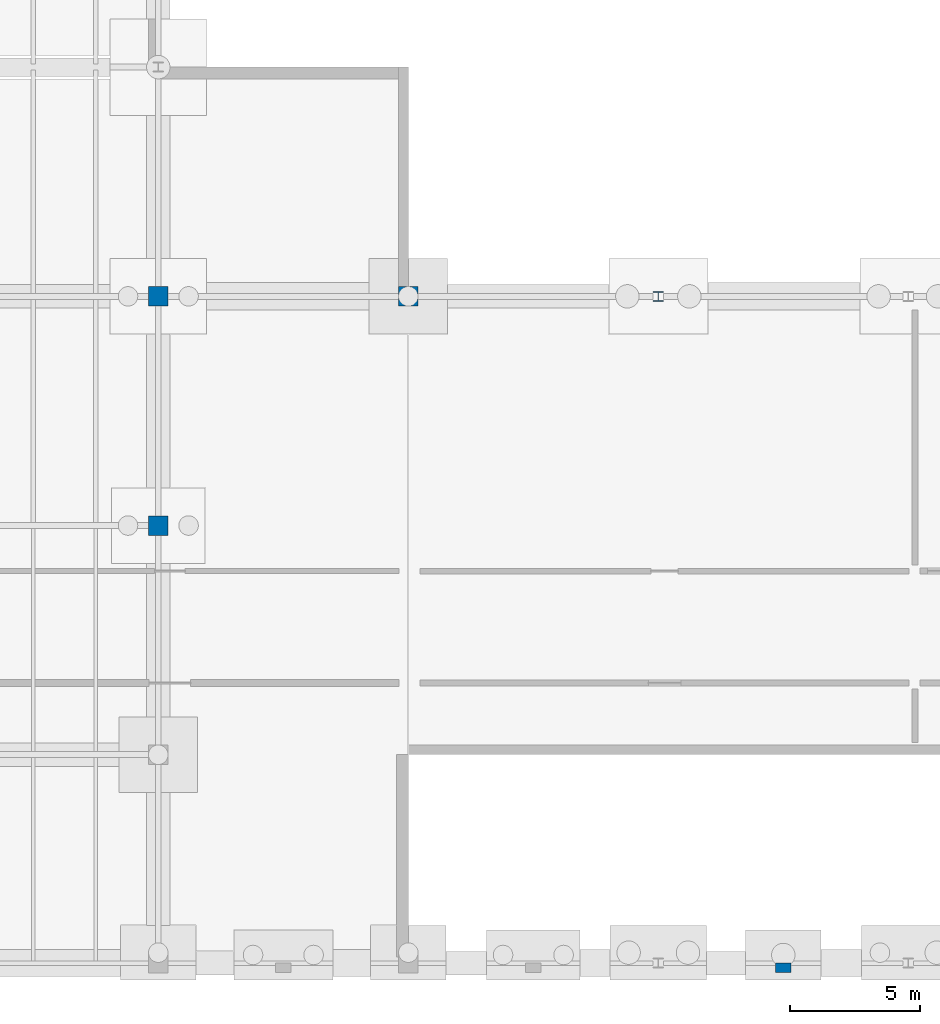
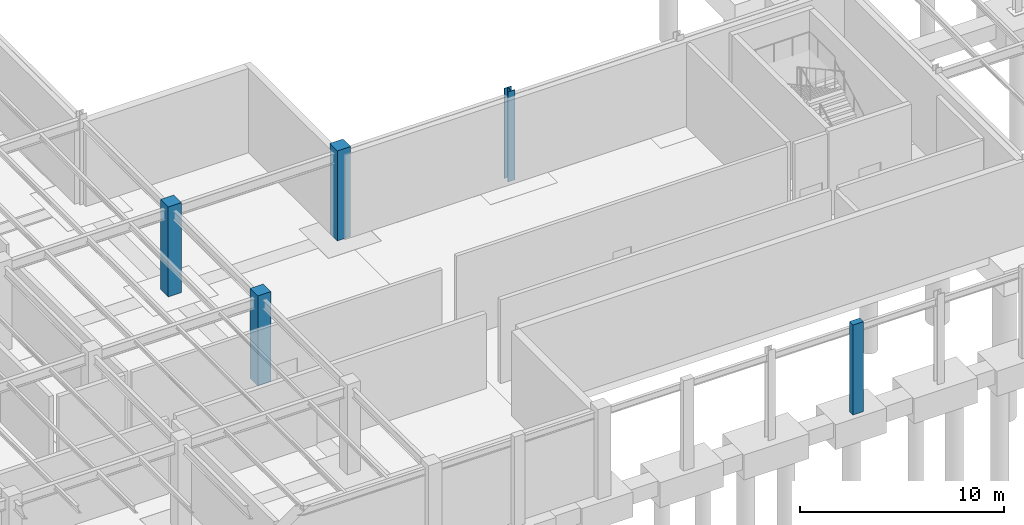
# One storey, part 7 of 48: 5 columns.
"""IFC4 building model written with IfcOpenShell, lengths in metres."""

from ifc_helpers import new_model, si_unit, direction, frame, origin, origin_2d, place, context, subcontext, project, spatial, rectangle, i_section, extrude, material, material_profile, profile_set, type_object, element, save


model = new_model("IFC4")

# Units and contexts
model_context = context("Model", 3, precision=1e-05, world=origin(), true_north=direction((0.0, 1.0)))
body_context = subcontext(model_context, "Body", "Model", "MODEL_VIEW")
ifc_project = project(units=[si_unit("LENGTHUNIT", "METRE"), si_unit("AREAUNIT", "SQUARE_METRE"), si_unit("VOLUMEUNIT", "CUBIC_METRE"), si_unit("PLANEANGLEUNIT", "RADIAN"), si_unit("MASSUNIT", "GRAM", prefix="KILO")], contexts=[model_context])

# Site, building, storey
site_placement = place(None, origin())
site = spatial("IfcSite", under=ifc_project, at=site_placement, CompositionType="ELEMENT")
building_placement = place(site_placement, origin())
building = spatial("IfcBuilding", under=site, at=building_placement, Name="Sarnbrook Museum", CompositionType="ELEMENT")
storey_placement = place(building_placement, frame((0.0, 0.0, -5.39990234375)))
storey = spatial("IfcBuildingStorey", under=building, at=storey_placement, Name="B1", CompositionType="ELEMENT", Elevation=-5.39990234375)

# Columns
ifc_material_1 = material(Name="Concrete N50 (AS 3600, f'c = 50 MPa)", Category="concrete")
ifc_material_profile_1 = material_profile(ifc_material_1, rectangle(XDim=0.75, YDim=0.75, at=origin_2d()), Name="RC 750x750")
ifc_profile_set_1 = profile_set([ifc_material_profile_1], Name="Concrete N50 (AS 3600, f'c = 50 MPa)")
column_type_1 = type_object("IfcColumnType", Name="COL-RC750", PredefinedType="COLUMN", material=ifc_profile_set_1)
for number, where, z_axis, x_axis, name in (
    (1, (42.39990234375, 21.60009765625, 0.0), (0.0, 0.0, 1.0), (1.0, 0.0, 0.0), "Column 5-C B1"),
    (2, (42.39990234375, 30.39990234375, 0.0), (0.0, 0.0, 1.0), (1.0, 0.0, 0.0), "Column 5-D B1"),
    (3, (52.0, 30.39990234375, 0.0), (0.0, 0.0, 1.0), (1.0, 0.0, 0.0), "Column 6-D B1"),
):
    element("IfcColumn", number, at=place(storey_placement, frame(where, z_axis=z_axis, x_axis=x_axis)), inside=storey, type_object=column_type_1, Name=name, PredefinedType="COLUMN", context=body_context, shape_type="SweptSolid", body=[
        extrude(rectangle(XDim=0.75, YDim=0.75, at=origin_2d()), origin(), (0.0, 0.0, 1.0), 5.39990234375),
    ])
ifc_material_2 = material(Name="Structural Steel Grade 350L0 (AS/NZS 3678, fy = 340 MPa for 20 < t <= 40 mm)", Category="steel")
ifc_material_profile_2 = material_profile(ifc_material_2, i_section(OverallWidth=0.39990234375, OverallDepth=0.382080078125, WebThickness=0.02490234375, FlangeThickness=0.035888671875, at=origin_2d()), Name="400WC270")
ifc_profile_set_2 = profile_set([ifc_material_profile_2], Name="Structural Steel Grade 350L0 (AS/NZS 3678, fy = 340 MPa for 20 < t <= 40 mm)")
column_type_2 = type_object("IfcColumnType", Name="COL-WC400", PredefinedType="COLUMN", material=ifc_profile_set_2)
column_1_placement = place(storey_placement, frame((61.60009765625, 30.39990234375, 0.0), z_axis=(0.0, 0.0, 1.0), x_axis=(1.0, 0.0, 0.0)))
element("IfcColumn", 4, at=column_1_placement, inside=storey, type_object=column_type_2, Name="Column 7-D B1", PredefinedType="COLUMN", context=body_context, shape_type="SweptSolid", body=[
    extrude(i_section(OverallWidth=0.39990234375, OverallDepth=0.382080078125, WebThickness=0.02490234375, FlangeThickness=0.035888671875, at=origin_2d()), origin(), (0.0, 0.0, 1.0), 5.39990234375),
])
ifc_material_3 = material(Name="Concrete N40 (AS 3600, f'c = 40 MPa)", Category="concrete")
ifc_material_profile_3 = material_profile(ifc_material_3, rectangle(XDim=0.60009765625, YDim=0.35009765625, at=origin_2d()), Name="PILASTER 600x350")
ifc_profile_set_3 = profile_set([ifc_material_profile_3], Name="Concrete N40 (AS 3600, f'c = 40 MPa)")
column_type_3 = type_object("IfcColumnType", Name="PIL-600x350", PredefinedType="PILASTER", material=ifc_profile_set_3)
column_2_placement = place(storey_placement, frame((66.39990234375, 4.6201171875, 0.0), z_axis=(0.0, 0.0, 1.0), x_axis=(1.0, 0.0, 0.0)))
element("IfcColumn", 5, at=column_2_placement, inside=storey, type_object=column_type_3, Name="Sandstone Classical Pilaster P-S3 B1", PredefinedType="PILASTER", context=body_context, shape_type="SweptSolid", body=[
    extrude(rectangle(XDim=0.60009765625, YDim=0.35009765625, at=origin_2d()), origin(), (0.0, 0.0, 1.0), 5.39990234375),
])

save(model, "model.ifc")
